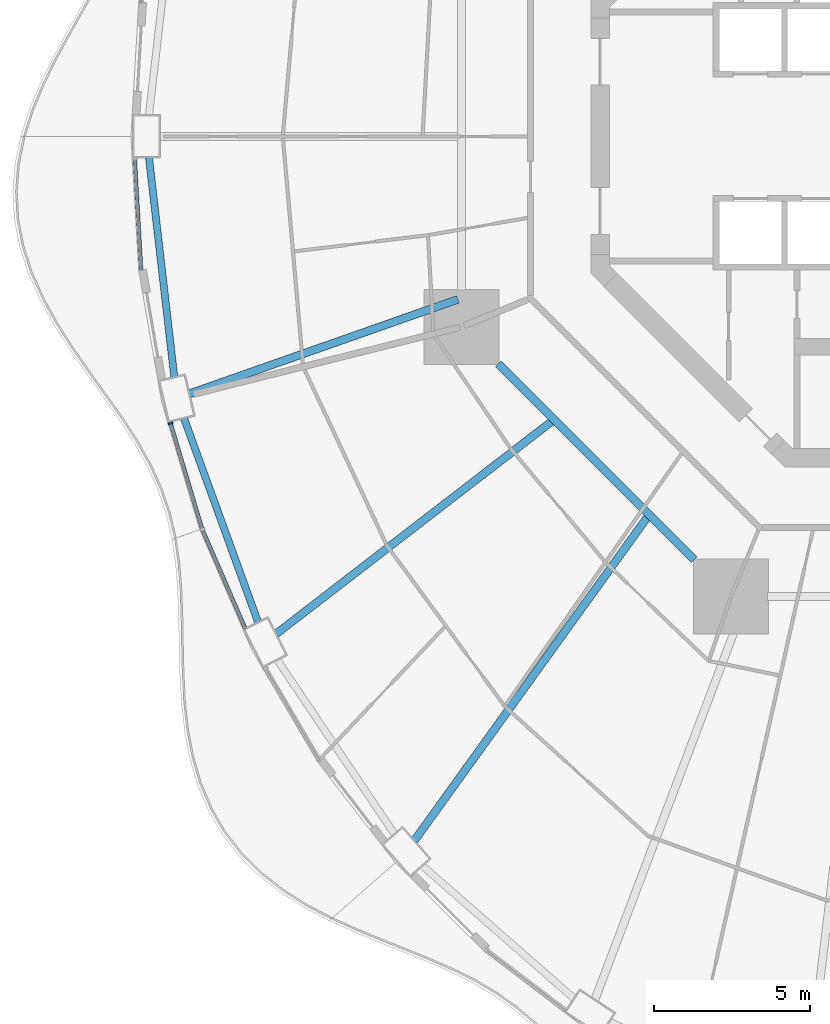
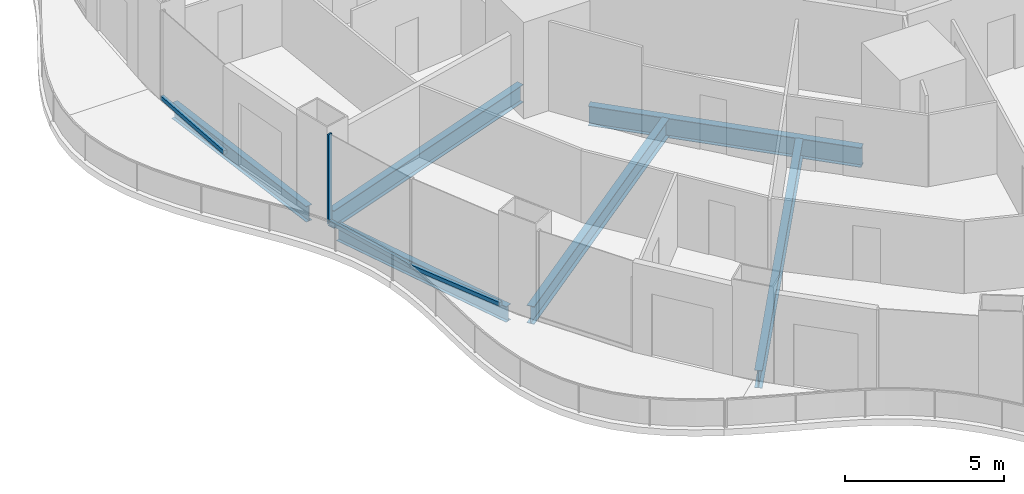
# One storey, part 3 of 22: 6 beams, 4 members, 3 elements without a shape of their own.
"""IFC4 building model written with IfcOpenShell, lengths in metres."""

from ifc_helpers import new_model, si_unit, direction, frame, origin, origin_2d, place, context, subcontext, project, spatial, rectangle, i_section, extrude, material, layer, layer_set, material_profile, profile_set, type_object, element, aggregate, save


model = new_model("IFC4")

# Units and contexts
model_context = context("Model", 3, precision=1e-05, world=origin(), true_north=direction((0.0, 1.0)))
body_context = subcontext(model_context, "Body", "Model", "MODEL_VIEW")
ifc_project = project(units=[si_unit("LENGTHUNIT", "METRE"), si_unit("AREAUNIT", "SQUARE_METRE"), si_unit("VOLUMEUNIT", "CUBIC_METRE"), si_unit("PLANEANGLEUNIT", "RADIAN"), si_unit("MASSUNIT", "GRAM", prefix="KILO")], contexts=[model_context])

# Site, building, storey
site_placement = place(None, origin())
site = spatial("IfcSite", under=ifc_project, at=site_placement, CompositionType="ELEMENT")
building_placement = place(site_placement, origin())
building = spatial("IfcBuilding", under=site, at=building_placement, Name="Nagisa Residences", CompositionType="ELEMENT")
storey_placement = place(building_placement, frame((0.0, 0.0, 52.89990234375)))
storey = spatial("IfcBuildingStorey", under=building, at=storey_placement, Name="L12", CompositionType="ELEMENT", Elevation=52.89990234375)

# Curtain wall, member
ifc_material_1 = material(Name="Concrete-coloured aluminium curtain wall system", Category="concrete")
ifc_layer = layer(ifc_material_1, 0.159912109375)
ifc_layer_set = layer_set([ifc_layer], Name="CW1 CURTAIN WALL")
curtain_wall_type = type_object("IfcCurtainWallType", Name="CW1 CURTAIN WALL", PredefinedType="NOTDEFINED", material=ifc_layer_set)
curtain_wall_1_placement = place(storey_placement, origin())
curtain_wall_1 = element("IfcCurtainWall", 1, at=curtain_wall_1_placement, inside=storey, type_object=curtain_wall_type, Name="cw:CW1:L12:26", PredefinedType="NOTDEFINED")
ifc_material_2 = material(Name="Concrete-coloured aluminium", Category="concrete")
ifc_material_profile_1 = material_profile(ifc_material_2, rectangle(XDim=0.159912109375, YDim=0.06005859375, at=origin_2d()), Name="CW1 MULLION 160x60")
ifc_profile_set_1 = profile_set([ifc_material_profile_1], Name="Concrete-coloured aluminium")
member_type_1 = type_object("IfcMemberType", Name="CW1 MULLION 160x60", PredefinedType="MULLION", material=ifc_profile_set_1)
member_1_placement = place(storey_placement, frame((-24.12646484375, -9.2177734375, 0.0), z_axis=(0.0, 0.0, 1.0), x_axis=(0.958271310082, 0.285860274038, 0.0)))
member_1 = element("IfcMember", 2, at=member_1_placement, type_object=member_type_1, Name="CW1 mullion", PredefinedType="MULLION", context=body_context, shape_type="SweptSolid", body=[
    extrude(rectangle(XDim=0.159912109375, YDim=0.06005859375, at=origin_2d()), origin(), (0.0, 0.0, 1.0), 3.440185546875),
])

curtain_wall_2_placement = place(storey_placement, origin())
curtain_wall_2 = element("IfcCurtainWall", 3, at=curtain_wall_2_placement, inside=storey, type_object=curtain_wall_type, Name="cw:CW1:L12:24", PredefinedType="NOTDEFINED")
ifc_material_3 = material(Name="Concrete-coloured aluminium", Category="concrete")
ifc_material_profile_2 = material_profile(ifc_material_3, rectangle(XDim=0.1201171875, YDim=0.14990234375, at=origin_2d()), Name="CW1 TRANSOM 120x150")
ifc_profile_set_2 = profile_set([ifc_material_profile_2], Name="Concrete-coloured aluminium")
member_type_2 = type_object("IfcMemberType", Name="CW1 TRANSOM 120x150", PredefinedType="USERDEFINED", material=ifc_profile_set_2)
member_2_placement = place(storey_placement, frame((-25.27978515625, -0.6943359375, 0.0751953125), z_axis=(0.057482603412, -0.998346508135, 0.0), x_axis=(0.998346508135, 0.057482603412, 0.0)))
member_2 = element("IfcMember", 4, at=member_2_placement, type_object=member_type_2, Name="CW1 transom", ObjectType="TRANSOM", PredefinedType="USERDEFINED", context=body_context, shape_type="SweptSolid", body=[
    extrude(rectangle(XDim=0.1201171875, YDim=0.14990234375, at=origin_2d()), origin(), (0.0, 0.0, 1.0), 3.6142578125),
])
aggregate(curtain_wall_2, [member_2])

# Member
member_3_placement = place(storey_placement, frame((-24.135009765625, -9.18896484375, 0.0751953125), z_axis=(0.285808431121, -0.958286773727, 0.0), x_axis=(0.958286773727, 0.285808431121, 0.0)))
member_3 = element("IfcMember", 5, at=member_3_placement, type_object=member_type_2, Name="CW1 transom", ObjectType="TRANSOM", PredefinedType="USERDEFINED", context=body_context, shape_type="SweptSolid", body=[
    extrude(rectangle(XDim=0.1201171875, YDim=0.14990234375, at=origin_2d()), origin(), (0.0, 0.0, 1.0), 3.5654296875),
])

aggregate(curtain_wall_1, [member_1, member_3])

# Curtain wall, member
curtain_wall_3_placement = place(storey_placement, origin())
curtain_wall_3 = element("IfcCurtainWall", 6, at=curtain_wall_3_placement, inside=storey, type_object=curtain_wall_type, Name="cw:CW1:L12:27", PredefinedType="NOTDEFINED")
member_4_placement = place(storey_placement, frame((-23.119140625, -12.5966796875, 0.0751953125), z_axis=(0.397624958345, -0.917548032803, 0.0), x_axis=(0.917548032803, 0.397624958345, 0.0)))
member_4 = element("IfcMember", 7, at=member_4_placement, type_object=member_type_2, Name="CW1 transom", ObjectType="TRANSOM", PredefinedType="USERDEFINED", context=body_context, shape_type="SweptSolid", body=[
    extrude(rectangle(XDim=0.1201171875, YDim=0.14990234375, at=origin_2d()), origin(), (0.0, 0.0, 1.0), 3.51953125),
])
aggregate(curtain_wall_3, [member_4])

# Beams
ifc_material_4 = material(Name="Steel ASTM A572 Gr 50", Category="steel")
ifc_material_profile_3 = material_profile(ifc_material_4, i_section(OverallWidth=0.264892578125, OverallDepth=0.7529296875, WebThickness=0.01318359375, FlangeThickness=0.01708984375, at=origin_2d()), Name="W760x147")
ifc_profile_set_3 = profile_set([ifc_material_profile_3], Name="Steel ASTM A572 Gr 50")
beam_type_1 = type_object("IfcBeamType", Name="Inner ring beam W760x147", PredefinedType="BEAM", material=ifc_profile_set_3)
beam_1_placement = place(storey_placement, frame((-13.59619140625, -7.308837890625, -0.636474609375), z_axis=(0.707106781187, -0.707106781187, 0.0), x_axis=(0.707106781187, 0.707106781187, 0.0)))
element("IfcBeam", 8, at=beam_1_placement, inside=storey, type_object=beam_type_1, Name="beam:L12:ib5", PredefinedType="BEAM", context=body_context, shape_type="SweptSolid", body=[
    extrude(i_section(OverallWidth=0.264892578125, OverallDepth=0.7529296875, WebThickness=0.01318359375, FlangeThickness=0.01708984375, at=origin_2d()), origin(), (0.0, 0.0, 1.0), 8.8916015625),
])
ifc_material_5 = material(Name="Steel ASTM A572 Gr 50", Category="steel")
ifc_material_profile_4 = material_profile(ifc_material_5, i_section(OverallWidth=0.22802734375, OverallDepth=0.60302734375, WebThickness=0.010498046875, FlangeThickness=0.014892578125, at=origin_2d()), Name="W610x101")
ifc_profile_set_4 = profile_set([ifc_material_profile_4], Name="Steel ASTM A572 Gr 50")
beam_type_2 = type_object("IfcBeamType", Name="Perimeter ring beam W610x101", PredefinedType="BEAM", material=ifc_profile_set_4)
beam_2_placement = place(storey_placement, frame((-24.821533203125, -0.68017578125, -0.5615234375), z_axis=(0.114707660057, -0.993399291687, 0.0), x_axis=(0.993399291687, 0.114707660057, 0.0)))
element("IfcBeam", 9, at=beam_2_placement, inside=storey, type_object=beam_type_2, Name="beam:L12:pb13", PredefinedType="BEAM", context=body_context, shape_type="SweptSolid", body=[
    extrude(i_section(OverallWidth=0.22802734375, OverallDepth=0.60302734375, WebThickness=0.010498046875, FlangeThickness=0.014892578125, at=origin_2d()), origin(), (0.0, 0.0, 1.0), 7.09814453125),
])
beam_3_placement = place(storey_placement, frame((-23.695068359375, -9.055419921875, -0.5615234375), z_axis=(0.341411143183, -0.939914055279, 0.0), x_axis=(0.939914055279, 0.341411143183, 0.0)))
element("IfcBeam", 10, at=beam_3_placement, inside=storey, type_object=beam_type_2, Name="beam:L12:pb14", PredefinedType="BEAM", context=body_context, shape_type="SweptSolid", body=[
    extrude(i_section(OverallWidth=0.22802734375, OverallDepth=0.60302734375, WebThickness=0.010498046875, FlangeThickness=0.014892578125, at=origin_2d()), origin(), (0.0, 0.0, 1.0), 6.96923828125),
])
ifc_material_6 = material(Name="Steel ASTM A572 Gr 50", Category="steel")
ifc_material_profile_5 = material_profile(ifc_material_6, i_section(OverallWidth=0.25390625, OverallDepth=0.68408203125, WebThickness=0.012451171875, FlangeThickness=0.018798828125, at=origin_2d()), Name="W690x140")
ifc_profile_set_5 = profile_set([ifc_material_profile_5], Name="Steel ASTM A572 Gr 50")
beam_type_3 = type_object("IfcBeamType", Name="Radial beam W690x140", PredefinedType="BEAM", material=ifc_profile_set_5)
beam_4_placement = place(storey_placement, frame((-23.520751953125, -8.26806640625, -0.601806640625), z_axis=(0.943414535235, 0.331615763659, 0.0), x_axis=(-0.331615763659, 0.943414535235, 0.0)))
element("IfcBeam", 11, at=beam_4_placement, inside=storey, type_object=beam_type_3, Name="beam:L12:rb14", PredefinedType="BEAM", context=body_context, shape_type="SweptSolid", body=[
    extrude(i_section(OverallWidth=0.25390625, OverallDepth=0.68408203125, WebThickness=0.012451171875, FlangeThickness=0.018798828125, at=origin_2d()), origin(), (0.0, 0.0, 1.0), 9.142333984375),
])
beam_5_placement = place(storey_placement, frame((-20.73486328125, -15.982666015625, -0.601806640625), z_axis=(0.792016146736, 0.610500141941, 0.0), x_axis=(-0.610500141941, 0.792016146736, 0.0)))
element("IfcBeam", 12, at=beam_5_placement, inside=storey, type_object=beam_type_3, Name="beam:L12:rb15", PredefinedType="BEAM", context=body_context, shape_type="SweptSolid", body=[
    extrude(i_section(OverallWidth=0.25390625, OverallDepth=0.68408203125, WebThickness=0.012451171875, FlangeThickness=0.018798828125, at=origin_2d()), origin(), (0.0, 0.0, 1.0), 11.160888671875),
])
beam_6_placement = place(storey_placement, frame((-16.29443359375, -22.62255859375, -0.601806640625), z_axis=(0.58445507622, 0.811426068031, 0.0), x_axis=(-0.811426068031, 0.58445507622, 0.0)))
element("IfcBeam", 13, at=beam_6_placement, inside=storey, type_object=beam_type_3, Name="beam:L12:rb16", PredefinedType="BEAM", context=body_context, shape_type="SweptSolid", body=[
    extrude(i_section(OverallWidth=0.25390625, OverallDepth=0.68408203125, WebThickness=0.012451171875, FlangeThickness=0.018798828125, at=origin_2d()), origin(), (0.0, 0.0, 1.0), 12.78955078125),
])

save(model, "model.ifc")
